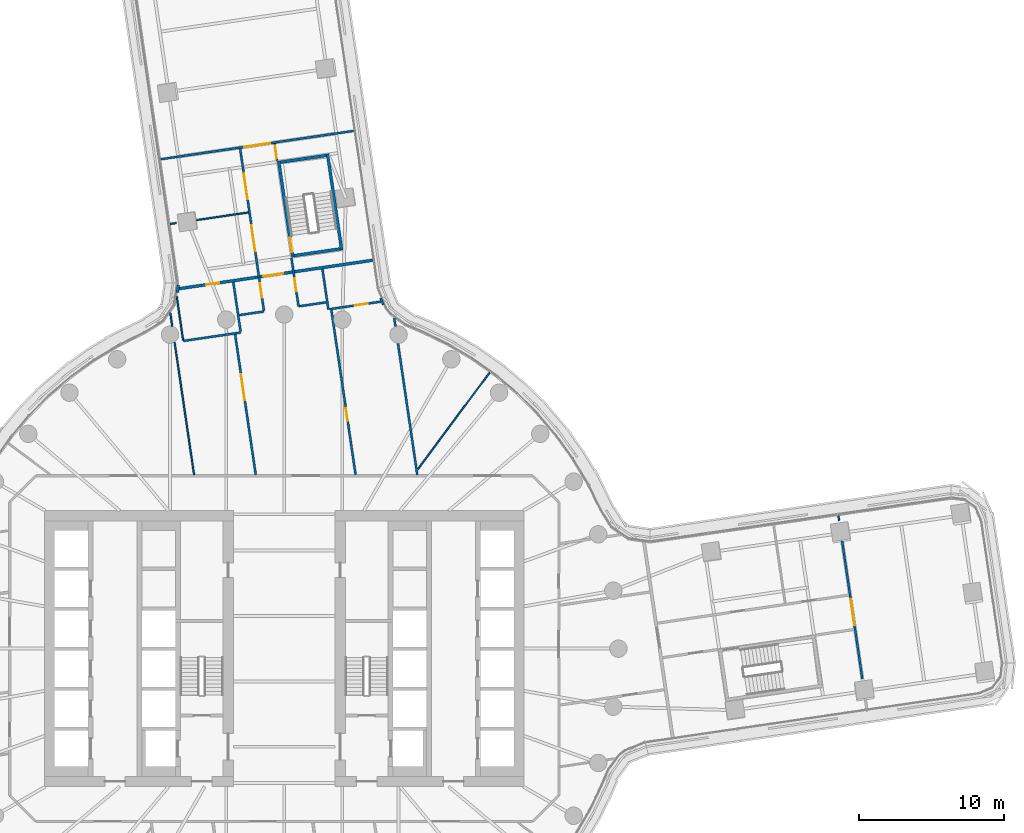
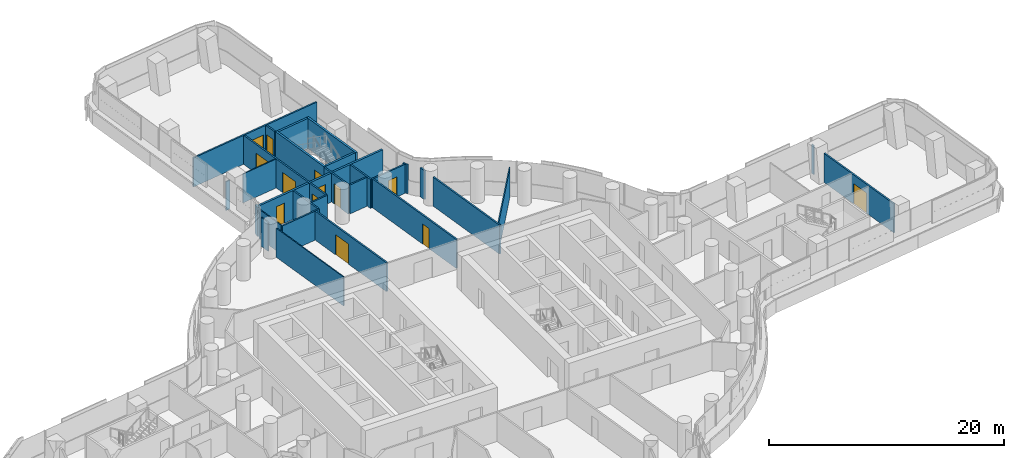
# One storey, part 23 of 31: 29 walls, 13 doors, 13 openings.
"""IFC4 building model written with IfcOpenShell, lengths in metres."""

from ifc_helpers import new_model, si_unit, direction, frame, frame_2d, origin, place, context, subcontext, project, spatial, polyline, rectangle, outline, extrude, material, layer, layer_set, type_object, element, fill, save


model = new_model("IFC4")

# Units and contexts
model_context = context("Model", 3, precision=1e-05, world=origin(), true_north=direction((0.0, 1.0)))
body_context = subcontext(model_context, "Body", "Model", "MODEL_VIEW")
ifc_project = project(units=[si_unit("LENGTHUNIT", "METRE"), si_unit("AREAUNIT", "SQUARE_METRE"), si_unit("VOLUMEUNIT", "CUBIC_METRE"), si_unit("PLANEANGLEUNIT", "RADIAN"), si_unit("MASSUNIT", "GRAM", prefix="KILO")], contexts=[model_context])

# Site, building, storey
site_placement = place(None, origin())
site = spatial("IfcSite", under=ifc_project, at=site_placement, CompositionType="ELEMENT")
building_placement = place(site_placement, origin())
building = spatial("IfcBuilding", under=site, at=building_placement, Name="Tamarind Cross Interchange Tower", CompositionType="ELEMENT")
storey_placement = place(building_placement, frame((0.0, 0.0, 64.0)))
storey = spatial("IfcBuildingStorey", under=building, at=storey_placement, Name="L14", CompositionType="ELEMENT", Elevation=64.0)

# Walls
ifc_material_1 = material(Name="Gypsum board partition on steel studs", Category="steel")
ifc_layer_1 = layer(ifc_material_1, 0.10009765625)
ifc_layer_set_1 = layer_set([ifc_layer_1], Name="Gypsum board partition on steel studs")
wall_type_1 = type_object("IfcWallType", Name="Partition 100 mm EI 90", PredefinedType="PARTITIONING", material=ifc_layer_set_1)
wall_1_placement = place(storey_placement, frame((-7.84765625, 23.128173828125, 0.0), z_axis=(0.0, 0.0, 1.0), x_axis=(0.145310506954, -0.989386100857, 0.0)))
element("IfcWall", 1, at=wall_1_placement, inside=storey, type_object=wall_type_1, Name="Partition L14-009", PredefinedType="PARTITIONING", context=body_context, shape_type="SweptSolid", body=[
    extrude(rectangle(XDim=0.957763671875, YDim=0.10009765625, at=frame_2d((0.47900390625, 0.0))), origin(), (0.0, 0.0, 1.0), 3.010009765625),
])
wall_2_placement = place(storey_placement, frame((-7.54931640625, 21.0966796875, 0.0), z_axis=(0.0, 0.0, 1.0), x_axis=(0.145367586138, -0.989377715991, 0.0)))
element("IfcWall", 2, at=wall_2_placement, inside=storey, type_object=wall_type_1, Name="Partition L14-010", PredefinedType="PARTITIONING", context=body_context, shape_type="SweptSolid", body=[
    extrude(rectangle(XDim=9.23046875, YDim=0.10009765625, at=frame_2d((4.615234375, 0.0))), origin(), (0.0, 0.0, 1.0), 3.010009765625),
])
wall_3_placement = place(storey_placement, frame((-7.403076171875, 24.23388671875, 0.0), z_axis=(0.0, 0.0, 1.0), x_axis=(0.145198559195, -0.989402536083, 0.0)))
element("IfcWall", 3, at=wall_3_placement, inside=storey, type_object=wall_type_1, Name="Partition L14-013", PredefinedType="PARTITIONING", context=body_context, shape_type="SweptSolid", body=[
    extrude(rectangle(XDim=3.021484375, YDim=0.10009765625, at=frame_2d((1.5107421875, 0.0))), origin(), (0.0, 0.0, 1.0), 3.010009765625),
])
wall_4_placement = place(storey_placement, frame((38.14111328125, 9.15185546875, 0.0), z_axis=(0.0, 0.0, 1.0), x_axis=(0.145703721626, -0.98932826984, 0.0)))
element("IfcWall", 4, at=wall_4_placement, inside=storey, type_object=wall_type_1, Name="Partition L14-031", PredefinedType="PARTITIONING", context=body_context, shape_type="SweptSolid", body=[
    extrude(rectangle(XDim=0.335205078125, YDim=0.10009765625, at=frame_2d((0.16748046875, 0.0))), origin(), (0.0, 0.0, 1.0), 3.010009765625),
])
wall_5_placement = place(storey_placement, frame((-7.854248046875, 29.235107421875, 0.0), z_axis=(0.0, 0.0, 1.0), x_axis=(0.989371203144, 0.145411905938, 0.0)))
element("IfcWall", 5, at=wall_5_placement, inside=storey, type_object=wall_type_1, Name="Partition L14-055", PredefinedType="PARTITIONING", context=body_context, shape_type="SweptSolid", body=[
    extrude(rectangle(XDim=0.42822265625, YDim=0.10009765625, at=frame_2d((0.214111328125, 0.0))), origin(), (0.0, 0.0, 1.0), 3.010009765625),
])
wall_6_placement = place(storey_placement, frame((-6.02587890625, 29.503662109375, 0.0), z_axis=(0.0, 0.0, 1.0), x_axis=(0.989387248681, 0.145302691469, 0.0)))
element("IfcWall", 6, at=wall_6_placement, inside=storey, type_object=wall_type_1, Name="Partition L14-056", PredefinedType="PARTITIONING", context=body_context, shape_type="SweptSolid", body=[
    extrude(rectangle(XDim=3.600830078125, YDim=0.10009765625, at=frame_2d((1.80029296875, 0.0))), origin(), (0.0, 0.0, 1.0), 3.010009765625),
])
wall_7_placement = place(storey_placement, frame((9.194580078125, 12.361328125, 0.0), z_axis=(0.0, 0.0, 1.0), x_axis=(0.596808955644, 0.80238336876, 0.0)))
element("IfcWall", 7, at=wall_7_placement, inside=storey, type_object=wall_type_1, Name="Partition L14-074", PredefinedType="PARTITIONING", context=body_context, shape_type="SweptSolid", body=[
    extrude(rectangle(XDim=8.275146484375, YDim=0.10009765625, at=frame_2d((4.1376953125, 0.0))), origin(), (0.0, 0.0, 1.0), 3.010009765625),
])
ifc_layer_2 = layer(ifc_material_1, 0.14990234375)
ifc_layer_set_2 = layer_set([ifc_layer_2], Name="Gypsum board partition on steel studs")
wall_type_2 = type_object("IfcWallType", Name="Partition 150 mm EI 120", PredefinedType="PARTITIONING", material=ifc_layer_set_2)
wall_8_placement = place(storey_placement, frame((-3.50634765625, 25.22509765625, 0.0), z_axis=(0.0, 0.0, 1.0), x_axis=(0.145545214318, -0.989351601095, 0.0)))
element("IfcWall", 8, at=wall_8_placement, inside=storey, type_object=wall_type_2, Name="Partition L14-015", PredefinedType="PARTITIONING", context=body_context, shape_type="SweptSolid", body=[
    extrude(rectangle(XDim=3.430419921875, YDim=0.14990234375, at=frame_2d((1.71533203125, 0.0))), origin(), (0.0, 0.0, 1.0), 3.010009765625),
])

# Wall, opening, door
wall_9_placement = place(storey_placement, frame((-3.382080078125, 21.6298828125, 0.0), z_axis=(0.0, 0.0, 1.0), x_axis=(0.145319790088, -0.989384737404, 0.0)))
wall_9 = element("IfcWall", 9, at=wall_9_placement, inside=storey, type_object=wall_type_2, Name="Partition L14-018", PredefinedType="PARTITIONING", context=body_context, shape_type="SweptSolid", body=[
    extrude(rectangle(XDim=9.764404296875, YDim=0.14990234375, at=frame_2d((4.88232421875, 0.0))), origin(), (0.0, 0.0, 1.0), 3.010009765625),
])
opening_1_placement = place(wall_9_placement, frame((2.77490234375, 0.0, 0.0)))
opening_1 = element("IfcOpeningElement", 10, at=opening_1_placement, cuts=wall_9, Name="Opening D06", PredefinedType="OPENING", context=body_context, shape_type="SweptSolid", body=[
    extrude(rectangle(XDim=1.800048828125, YDim=2.10009765625, at=frame_2d((0.89990234375, 1.050048828125))), frame((0.0, 0.0849609375, 0.0), z_axis=(0.0, -1.0, 0.0), x_axis=(1.0, 0.0, 0.0)), (0.0, 0.0, 1.0), 0.169921875),
])
ifc_material_2 = material(Name="Fire-resisting door set")
door_type_1 = type_object("IfcDoorType", Name="Interior door 1800 x 2100 FD60S", OperationType="DOUBLE_DOOR_SINGLE_SWING", PredefinedType="DOOR", material=ifc_material_2)
door_1_placement = place(opening_1_placement, frame((1.800048828125, 0.0, 0.0), z_axis=(0.0, 0.0, 1.0), x_axis=(-1.0, 0.0, 0.0)))
door_1 = element("IfcDoor", 11, at=door_1_placement, inside=storey, type_object=door_type_1, Name="Door D06", OperationType="DOUBLE_DOOR_SINGLE_SWING", OverallHeight=2.10009765625, OverallWidth=1.800048828125, PredefinedType="DOOR", context=body_context, shape_type="SweptSolid", body=[
    extrude(rectangle(XDim=1.800048828125, YDim=2.10009765625, at=frame_2d((0.89990234375, 1.050048828125))), frame((0.0, 0.02490234375, 0.0), z_axis=(0.0, -1.0, 0.0), x_axis=(1.0, 0.0, 0.0)), (0.0, 0.0, 1.0), 0.050048828125),
])
fill(opening_1, door_1)

# Wall, openings, doors
wall_10_placement = place(storey_placement, frame((-3.037109375, 34.415771484375, 0.0), z_axis=(0.0, 0.0, 1.0), x_axis=(0.145313510652, -0.989385659701, 0.0)))
wall_10 = element("IfcWall", 12, at=wall_10_placement, inside=storey, type_object=wall_type_2, Name="Partition L14-019", PredefinedType="PARTITIONING", context=body_context, shape_type="SweptSolid", body=[
    extrude(rectangle(XDim=11.2548828125, YDim=0.14990234375, at=frame_2d((5.62744140625, 0.0))), origin(), (0.0, 0.0, 1.0), 3.010009765625),
])
opening_2_placement = place(wall_10_placement, frame((9.37548828125, 0.0, 0.0)))
opening_2 = element("IfcOpeningElement", 13, at=opening_2_placement, cuts=wall_10, Name="Opening D07", PredefinedType="OPENING", context=body_context, shape_type="SweptSolid", body=[
    extrude(rectangle(XDim=1.0, YDim=2.10009765625, at=frame_2d((0.5, 1.050048828125))), frame((0.0, 0.0849609375, 0.0), z_axis=(0.0, -1.0, 0.0), x_axis=(1.0, 0.0, 0.0)), (0.0, 0.0, 1.0), 0.169921875),
])
opening_3_placement = place(wall_10_placement, frame((1.72509765625, 0.0, 0.0)))
opening_3 = element("IfcOpeningElement", 14, at=opening_3_placement, cuts=wall_10, Name="Opening D08", PredefinedType="OPENING", context=body_context, shape_type="SweptSolid", body=[
    extrude(rectangle(XDim=1.800048828125, YDim=2.10009765625, at=frame_2d((0.89990234375, 1.050048828125))), frame((0.0, 0.0849609375, 0.0), z_axis=(0.0, -1.0, 0.0), x_axis=(1.0, 0.0, 0.0)), (0.0, 0.0, 1.0), 0.169921875),
])
opening_4_placement = place(wall_10_placement, frame((5.32568359375, 0.0, 0.0)))
opening_4 = element("IfcOpeningElement", 15, at=opening_4_placement, cuts=wall_10, Name="Opening D09", PredefinedType="OPENING", context=body_context, shape_type="SweptSolid", body=[
    extrude(rectangle(XDim=1.800048828125, YDim=2.10009765625, at=frame_2d((0.89990234375, 1.050048828125))), frame((0.0, 0.0849609375, 0.0), z_axis=(0.0, -1.0, 0.0), x_axis=(1.0, 0.0, 0.0)), (0.0, 0.0, 1.0), 0.169921875),
])
door_type_2 = type_object("IfcDoorType", Name="Interior door 1000 x 2100 FD60S", OperationType="SINGLE_SWING_LEFT", PredefinedType="DOOR", material=ifc_material_2)
door_2_placement = place(opening_2_placement, frame((1.0, 0.0, 0.0), z_axis=(0.0, 0.0, 1.0), x_axis=(-1.0, 0.0, 0.0)))
door_2 = element("IfcDoor", 16, at=door_2_placement, inside=storey, type_object=door_type_2, Name="Door D07", OperationType="SINGLE_SWING_RIGHT", OverallHeight=2.10009765625, OverallWidth=1.0, PredefinedType="DOOR", context=body_context, shape_type="SweptSolid", body=[
    extrude(rectangle(XDim=1.0, YDim=2.10009765625, at=frame_2d((0.5, 1.050048828125))), frame((0.0, 0.02490234375, 0.0), z_axis=(0.0, -1.0, 0.0), x_axis=(1.0, 0.0, 0.0)), (0.0, 0.0, 1.0), 0.050048828125),
])
fill(opening_2, door_2)
door_3_placement = place(opening_3_placement, frame((1.800048828125, 0.0, 0.0), z_axis=(0.0, 0.0, 1.0), x_axis=(-1.0, 0.0, 0.0)))
door_3 = element("IfcDoor", 17, at=door_3_placement, inside=storey, type_object=door_type_1, Name="Door D08", OperationType="DOUBLE_DOOR_SINGLE_SWING", OverallHeight=2.10009765625, OverallWidth=1.800048828125, PredefinedType="DOOR", context=body_context, shape_type="SweptSolid", body=[
    extrude(rectangle(XDim=1.800048828125, YDim=2.10009765625, at=frame_2d((0.89990234375, 1.050048828125))), frame((0.0, 0.02490234375, 0.0), z_axis=(0.0, -1.0, 0.0), x_axis=(1.0, 0.0, 0.0)), (0.0, 0.0, 1.0), 0.050048828125),
])
fill(opening_3, door_3)
door_4_placement = place(opening_4_placement, frame((1.800048828125, 0.0, 0.0), z_axis=(0.0, 0.0, 1.0), x_axis=(-1.0, 0.0, 0.0)))
door_4 = element("IfcDoor", 18, at=door_4_placement, inside=storey, type_object=door_type_1, Name="Door D09", OperationType="DOUBLE_DOOR_SINGLE_SWING", OverallHeight=2.10009765625, OverallWidth=1.800048828125, PredefinedType="DOOR", context=body_context, shape_type="SweptSolid", body=[
    extrude(rectangle(XDim=1.800048828125, YDim=2.10009765625, at=frame_2d((0.89990234375, 1.050048828125))), frame((0.0, 0.02490234375, 0.0), z_axis=(0.0, -1.0, 0.0), x_axis=(1.0, 0.0, 0.0)), (0.0, 0.0, 1.0), 0.050048828125),
])
fill(opening_4, door_4)

# Wall, opening, door
wall_11_placement = place(storey_placement, frame((-0.662109375, 34.763916015625, 0.0), z_axis=(0.0, 0.0, 1.0), x_axis=(0.145399124808, -0.989373081555, 0.0)))
wall_11 = element("IfcWall", 19, at=wall_11_placement, inside=storey, type_object=wall_type_2, Name="Partition L14-020", PredefinedType="PARTITIONING", context=body_context, shape_type="SweptSolid", body=[
    extrude(rectangle(XDim=1.185546875, YDim=0.14990234375, at=frame_2d((0.5927734375, 0.0))), origin(), (0.0, 0.0, 1.0), 3.010009765625),
])
opening_5_placement = place(wall_11_placement, frame((0.13525390625, 0.0, 0.0)))
opening_5 = element("IfcOpeningElement", 20, at=opening_5_placement, cuts=wall_11, Name="Opening D10", PredefinedType="OPENING", context=body_context, shape_type="SweptSolid", body=[
    extrude(rectangle(XDim=0.89990234375, YDim=2.10009765625, at=frame_2d((0.449951171875, 1.050048828125))), frame((0.0, 0.0849609375, 0.0), z_axis=(0.0, -1.0, 0.0), x_axis=(1.0, 0.0, 0.0)), (0.0, 0.0, 1.0), 0.169921875),
])
door_type_3 = type_object("IfcDoorType", Name="Interior door 900 x 2100 FD60S", OperationType="SINGLE_SWING_LEFT", PredefinedType="DOOR", material=ifc_material_2)
door_5_placement = place(opening_5_placement, origin())
door_5 = element("IfcDoor", 21, at=door_5_placement, inside=storey, type_object=door_type_3, Name="Door D10", OperationType="SINGLE_SWING_RIGHT", OverallHeight=2.10009765625, OverallWidth=0.89990234375, PredefinedType="DOOR", context=body_context, shape_type="SweptSolid", body=[
    extrude(rectangle(XDim=0.89990234375, YDim=2.10009765625, at=frame_2d((0.449951171875, 1.050048828125))), frame((0.0, 0.02490234375, 0.0), z_axis=(0.0, -1.0, 0.0), x_axis=(1.0, 0.0, 0.0)), (0.0, 0.0, 1.0), 0.050048828125),
])
fill(opening_5, door_5)

wall_12_placement = place(storey_placement, frame((0.49560546875, 26.8837890625, 0.0), z_axis=(0.0, 0.0, 1.0), x_axis=(0.145276394128, -0.989391110385, 0.0)))
wall_12 = element("IfcWall", 22, at=wall_12_placement, inside=storey, type_object=wall_type_2, Name="Partition L14-021", PredefinedType="PARTITIONING", context=body_context, shape_type="SweptSolid", body=[
    extrude(rectangle(XDim=3.359375, YDim=0.14990234375, at=frame_2d((1.6796875, 0.0))), origin(), (0.0, 0.0, 1.0), 3.010009765625),
])
opening_6_placement = place(wall_12_placement, frame((1.409912109375, 0.0, 0.0)))
opening_6 = element("IfcOpeningElement", 23, at=opening_6_placement, cuts=wall_12, Name="Opening D11", PredefinedType="OPENING", context=body_context, shape_type="SweptSolid", body=[
    extrude(rectangle(XDim=0.89990234375, YDim=2.10009765625, at=frame_2d((0.449951171875, 1.050048828125))), frame((0.0, 0.0849609375, 0.0), z_axis=(0.0, -1.0, 0.0), x_axis=(1.0, 0.0, 0.0)), (0.0, 0.0, 1.0), 0.169921875),
])
door_6_placement = place(opening_6_placement, origin())
door_6 = element("IfcDoor", 24, at=door_6_placement, inside=storey, type_object=door_type_3, Name="Door D11", OperationType="SINGLE_SWING_LEFT", OverallHeight=2.10009765625, OverallWidth=0.89990234375, PredefinedType="DOOR", context=body_context, shape_type="SweptSolid", body=[
    extrude(rectangle(XDim=0.89990234375, YDim=2.10009765625, at=frame_2d((0.449951171875, 1.050048828125))), frame((0.0, 0.02490234375, 0.0), z_axis=(0.0, -1.0, 0.0), x_axis=(1.0, 0.0, 0.0)), (0.0, 0.0, 1.0), 0.050048828125),
])
fill(opening_6, door_6)

# Wall
wall_13_placement = place(storey_placement, frame((2.62841796875, 26.126220703125, 0.0), z_axis=(0.0, 0.0, 1.0), x_axis=(0.145009476749, -0.98943026619, 0.0)))
element("IfcWall", 25, at=wall_13_placement, inside=storey, type_object=wall_type_2, Name="Partition L14-025", PredefinedType="PARTITIONING", context=body_context, shape_type="SweptSolid", body=[
    extrude(rectangle(XDim=2.7998046875, YDim=0.14990234375, at=frame_2d((1.39990234375, 0.0))), origin(), (0.0, 0.0, 1.0), 3.010009765625),
])

# Wall, opening, door
wall_14_placement = place(storey_placement, frame((3.243896484375, 23.310791015625, 0.0), z_axis=(0.0, 0.0, 1.0), x_axis=(0.145335184951, -0.989382476101, 0.0)))
wall_14 = element("IfcWall", 26, at=wall_14_placement, inside=storey, type_object=wall_type_2, Name="Partition L14-026", PredefinedType="PARTITIONING", context=body_context, shape_type="SweptSolid", body=[
    extrude(rectangle(XDim=11.46337890625, YDim=0.14990234375, at=frame_2d((5.731689453125, 0.0))), origin(), (0.0, 0.0, 1.0), 3.010009765625),
])
opening_7_placement = place(wall_14_placement, frame((6.824951171875, 0.0, 0.0)))
opening_7 = element("IfcOpeningElement", 27, at=opening_7_placement, cuts=wall_14, Name="Opening D14", PredefinedType="OPENING", context=body_context, shape_type="SweptSolid", body=[
    extrude(rectangle(XDim=0.89990234375, YDim=2.10009765625, at=frame_2d((0.449951171875, 1.050048828125))), frame((0.0, 0.0849609375, 0.0), z_axis=(0.0, -1.0, 0.0), x_axis=(1.0, 0.0, 0.0)), (0.0, 0.0, 1.0), 0.169921875),
])
door_7_placement = place(opening_7_placement, origin())
door_7 = element("IfcDoor", 28, at=door_7_placement, inside=storey, type_object=door_type_3, Name="Door D14", OperationType="SINGLE_SWING_LEFT", OverallHeight=2.10009765625, OverallWidth=0.89990234375, PredefinedType="DOOR", context=body_context, shape_type="SweptSolid", body=[
    extrude(rectangle(XDim=0.89990234375, YDim=2.10009765625, at=frame_2d((0.449951171875, 1.050048828125))), frame((0.0, 0.02490234375, 0.0), z_axis=(0.0, -1.0, 0.0), x_axis=(1.0, 0.0, 0.0)), (0.0, 0.0, 1.0), 0.050048828125),
])
fill(opening_7, door_7)

# Walls
wall_15_placement = place(storey_placement, frame((7.571044921875, 22.7509765625, 0.0), z_axis=(0.0, 0.0, 1.0), x_axis=(0.145529697883, -0.98935388362, 0.0)))
element("IfcWall", 29, at=wall_15_placement, inside=storey, type_object=wall_type_2, Name="Partition L14-027", PredefinedType="PARTITIONING", context=body_context, shape_type="SweptSolid", body=[
    extrude(rectangle(XDim=0.590576171875, YDim=0.14990234375, at=frame_2d((0.29541015625, 0.0))), origin(), (0.0, 0.0, 1.0), 3.010009765625),
])
wall_16_placement = place(storey_placement, frame((7.826416015625, 21.013671875, 0.0), z_axis=(0.0, 0.0, 1.0), x_axis=(0.145417104169, -0.989370439125, 0.0)))
element("IfcWall", 30, at=wall_16_placement, inside=storey, type_object=wall_type_2, Name="Partition L14-028", PredefinedType="PARTITIONING", context=body_context, shape_type="SweptSolid", body=[
    extrude(rectangle(XDim=9.1416015625, YDim=0.14990234375, at=frame_2d((4.57080078125, 0.0))), origin(), (0.0, 0.0, 1.0), 3.010009765625),
])

# Wall, opening, door
wall_17_placement = place(storey_placement, frame((38.396240234375, 7.41552734375, 0.0), z_axis=(0.0, 0.0, 1.0), x_axis=(0.145400919427, -0.989372817814, 0.0)))
wall_17 = element("IfcWall", 31, at=wall_17_placement, inside=storey, type_object=wall_type_2, Name="Partition L14-032", PredefinedType="PARTITIONING", context=body_context, shape_type="SweptSolid", body=[
    extrude(rectangle(XDim=9.5908203125, YDim=0.14990234375, at=frame_2d((4.79541015625, 0.0))), origin(), (0.0, 0.0, 1.0), 3.010009765625),
])
opening_8_placement = place(wall_17_placement, frame((4.053466796875, 0.0, 0.0)))
opening_8 = element("IfcOpeningElement", 32, at=opening_8_placement, cuts=wall_17, Name="Opening D16", PredefinedType="OPENING", context=body_context, shape_type="SweptSolid", body=[
    extrude(rectangle(XDim=1.800048828125, YDim=2.10009765625, at=frame_2d((0.89990234375, 1.050048828125))), frame((0.0, 0.0849609375, 0.0), z_axis=(0.0, -1.0, 0.0), x_axis=(1.0, 0.0, 0.0)), (0.0, 0.0, 1.0), 0.169921875),
])
door_8_placement = place(opening_8_placement, frame((1.800048828125, 0.0, 0.0), z_axis=(0.0, 0.0, 1.0), x_axis=(-1.0, 0.0, 0.0)))
door_8 = element("IfcDoor", 33, at=door_8_placement, inside=storey, type_object=door_type_1, Name="Door D16", OperationType="DOUBLE_DOOR_SINGLE_SWING", OverallHeight=2.10009765625, OverallWidth=1.800048828125, PredefinedType="DOOR", context=body_context, shape_type="SweptSolid", body=[
    extrude(rectangle(XDim=1.800048828125, YDim=2.10009765625, at=frame_2d((0.89990234375, 1.050048828125))), frame((0.0, 0.02490234375, 0.0), z_axis=(0.0, -1.0, 0.0), x_axis=(1.0, 0.0, 0.0)), (0.0, 0.0, 1.0), 0.050048828125),
])
fill(opening_8, door_8)

wall_18_placement = place(storey_placement, frame((-8.503173828125, 33.68798828125, 0.0), z_axis=(0.0, 0.0, 1.0), x_axis=(0.989365376434, 0.145451544901, 0.0)))
wall_18 = element("IfcWall", 34, at=wall_18_placement, inside=storey, type_object=wall_type_2, Name="Partition L14-054", PredefinedType="PARTITIONING", context=body_context, shape_type="SweptSolid", body=[
    extrude(rectangle(XDim=13.412841796875, YDim=0.14990234375, at=frame_2d((6.70654296875, 0.0))), origin(), (0.0, 0.0, 1.0), 3.010009765625),
])
opening_9_placement = place(wall_18_placement, frame((5.813720703125, 0.0, 0.0)))
opening_9 = element("IfcOpeningElement", 35, at=opening_9_placement, cuts=wall_18, Name="Opening D28", PredefinedType="OPENING", context=body_context, shape_type="SweptSolid", body=[
    extrude(rectangle(XDim=1.800048828125, YDim=2.10009765625, at=frame_2d((0.89990234375, 1.050048828125))), frame((0.0, 0.0849609375, 0.0), z_axis=(0.0, -1.0, 0.0), x_axis=(1.0, 0.0, 0.0)), (0.0, 0.0, 1.0), 0.169921875),
])
door_9_placement = place(opening_9_placement, origin())
door_9 = element("IfcDoor", 36, at=door_9_placement, inside=storey, type_object=door_type_1, Name="Door D28", OperationType="DOUBLE_DOOR_SINGLE_SWING", OverallHeight=2.10009765625, OverallWidth=1.800048828125, PredefinedType="DOOR", context=body_context, shape_type="SweptSolid", body=[
    extrude(rectangle(XDim=1.800048828125, YDim=2.10009765625, at=frame_2d((0.89990234375, 1.050048828125))), frame((0.0, 0.02490234375, 0.0), z_axis=(0.0, -1.0, 0.0), x_axis=(1.0, 0.0, 0.0)), (0.0, 0.0, 1.0), 0.050048828125),
])
fill(opening_9, door_9)

# Walls
wall_19_placement = place(storey_placement, frame((-6.955078125, 21.179931640625, 0.0), z_axis=(0.0, 0.0, 1.0), x_axis=(0.989351383004, 0.145546696796, 0.0)))
element("IfcWall", 37, at=wall_19_placement, inside=storey, type_object=wall_type_2, Name="Partition L14-058", PredefinedType="PARTITIONING", context=body_context, shape_type="SweptSolid", body=[
    extrude(rectangle(XDim=4.00048828125, YDim=0.14990234375, at=frame_2d((2.000244140625, 0.0))), origin(), (0.0, 0.0, 1.0), 3.010009765625),
])
wall_20_placement = place(storey_placement, frame((-3.093017578125, 22.960693359375, 0.0), z_axis=(0.0, 0.0, 1.0), x_axis=(0.989362139502, 0.145473560894, 0.0)))
element("IfcWall", 38, at=wall_20_placement, inside=storey, type_object=wall_type_2, Name="Partition L14-061", PredefinedType="PARTITIONING", context=body_context, shape_type="SweptSolid", body=[
    extrude(rectangle(XDim=1.72021484375, YDim=0.14990234375, at=frame_2d((0.860107421875, 0.0))), origin(), (0.0, 0.0, 1.0), 3.010009765625),
])
wall_21_placement = place(storey_placement, frame((1.05322265625, 23.570556640625, 0.0), z_axis=(0.0, 0.0, 1.0), x_axis=(0.989359135365, 0.145493990495, 0.0)))
element("IfcWall", 39, at=wall_21_placement, inside=storey, type_object=wall_type_2, Name="Partition L14-062", PredefinedType="PARTITIONING", context=body_context, shape_type="SweptSolid", body=[
    extrude(rectangle(XDim=1.854248046875, YDim=0.14990234375, at=frame_2d((0.92724609375, 0.0))), origin(), (0.0, 0.0, 1.0), 3.010009765625),
])

# Wall, opening, door
wall_22_placement = place(storey_placement, frame((3.104248046875, 23.3662109375, 0.0), z_axis=(0.0, 0.0, 1.0), x_axis=(0.989446755987, 0.144896918761, 0.0)))
wall_22 = element("IfcWall", 40, at=wall_22_placement, inside=storey, type_object=wall_type_2, Name="Partition L14-063", PredefinedType="PARTITIONING", context=body_context, shape_type="SweptSolid", body=[
    extrude(rectangle(XDim=3.578857421875, YDim=0.14990234375, at=frame_2d((1.78955078125, 0.0))), origin(), (0.0, 0.0, 1.0), 3.010009765625),
])
opening_10_placement = place(wall_22_placement, frame((1.780029296875, 0.0, 0.0)))
opening_10 = element("IfcOpeningElement", 41, at=opening_10_placement, cuts=wall_22, Name="Opening D33", PredefinedType="OPENING", context=body_context, shape_type="SweptSolid", body=[
    extrude(rectangle(XDim=0.89990234375, YDim=2.10009765625, at=frame_2d((0.449951171875, 1.050048828125))), frame((0.0, 0.0849609375, 0.0), z_axis=(0.0, -1.0, 0.0), x_axis=(1.0, 0.0, 0.0)), (0.0, 0.0, 1.0), 0.169921875),
])
door_10_placement = place(opening_10_placement, origin())
door_10 = element("IfcDoor", 42, at=door_10_placement, inside=storey, type_object=door_type_3, Name="Door D33", OperationType="SINGLE_SWING_LEFT", OverallHeight=2.10009765625, OverallWidth=0.89990234375, PredefinedType="DOOR", context=body_context, shape_type="SweptSolid", body=[
    extrude(rectangle(XDim=0.89990234375, YDim=2.10009765625, at=frame_2d((0.449951171875, 1.050048828125))), frame((0.0, 0.02490234375, 0.0), z_axis=(0.0, -1.0, 0.0), x_axis=(1.0, 0.0, 0.0)), (0.0, 0.0, 1.0), 0.050048828125),
])
fill(opening_10, door_10)

# Wall
wall_23_placement = place(storey_placement, frame((6.8232421875, 23.665283203125, 0.0), z_axis=(0.0, 0.0, 1.0), x_axis=(-0.375342532564, 0.926886175994, 0.0)))
element("IfcWall", 43, at=wall_23_placement, inside=storey, type_object=wall_type_2, Name="Partition L14-078", PredefinedType="PARTITIONING", context=body_context, shape_type="SweptSolid", body=[
    extrude(rectangle(XDim=0.500244140625, YDim=0.14990234375, at=frame_2d((0.25, 0.0))), origin(), (0.0, 0.0, 1.0), 3.010009765625),
])

# Wall, openings, doors
ifc_layer_3 = layer(ifc_material_1, 0.199951171875)
ifc_layer_set_3 = layer_set([ifc_layer_3], Name="Gypsum board partition on steel studs")
wall_type_3 = type_object("IfcWallType", Name="Partition 200 mm EI 180", PredefinedType="PARTITIONING", material=ifc_layer_set_3)
wall_24_placement = place(storey_placement, frame((-7.210205078125, 24.781982421875, 0.0), z_axis=(0.0, 0.0, 1.0), x_axis=(0.989376139969, 0.145378312204, 0.0)))
wall_24 = element("IfcWall", 44, at=wall_24_placement, inside=storey, type_object=wall_type_3, Name="Partition L14-057", PredefinedType="PARTITIONING", context=body_context, shape_type="SweptSolid", body=[
    extrude(rectangle(XDim=13.427978515625, YDim=0.199951171875, at=frame_2d((6.7138671875, 0.0))), origin(), (0.0, 0.0, 1.0), 3.010009765625),
])
opening_11_placement = place(wall_24_placement, frame((5.82861328125, 0.0, 0.0)))
opening_11 = element("IfcOpeningElement", 45, at=opening_11_placement, cuts=wall_24, Name="Opening D29", PredefinedType="OPENING", context=body_context, shape_type="SweptSolid", body=[
    extrude(rectangle(XDim=1.39990234375, YDim=2.10009765625, at=frame_2d((0.699951171875, 1.050048828125))), frame((0.0, 0.10986328125, 0.0), z_axis=(0.0, -1.0, 0.0), x_axis=(1.0, 0.0, 0.0)), (0.0, 0.0, 1.0), 0.219970703125),
])
opening_12_placement = place(wall_24_placement, frame((1.865234375, 0.0, 0.0)))
opening_12 = element("IfcOpeningElement", 46, at=opening_12_placement, cuts=wall_24, Name="Opening D30", PredefinedType="OPENING", context=body_context, shape_type="SweptSolid", body=[
    extrude(rectangle(XDim=0.89990234375, YDim=2.10009765625, at=frame_2d((0.449951171875, 1.050048828125))), frame((0.0, 0.10986328125, 0.0), z_axis=(0.0, -1.0, 0.0), x_axis=(1.0, 0.0, 0.0)), (0.0, 0.0, 1.0), 0.219970703125),
])
door_type_4 = type_object("IfcDoorType", Name="Interior door 1400 x 2100 FD120S", OperationType="DOUBLE_DOOR_SINGLE_SWING", PredefinedType="DOOR", material=ifc_material_2)
door_11_placement = place(opening_11_placement, frame((1.39990234375, 0.0, 0.0), z_axis=(0.0, 0.0, 1.0), x_axis=(-1.0, 0.0, 0.0)))
door_11 = element("IfcDoor", 47, at=door_11_placement, inside=storey, type_object=door_type_4, Name="Door D29", OperationType="DOUBLE_DOOR_SINGLE_SWING", OverallHeight=2.10009765625, OverallWidth=1.39990234375, PredefinedType="DOOR", context=body_context, shape_type="SweptSolid", body=[
    extrude(rectangle(XDim=1.39990234375, YDim=2.10009765625, at=frame_2d((0.699951171875, 1.050048828125))), frame((0.0, 0.02490234375, 0.0), z_axis=(0.0, -1.0, 0.0), x_axis=(1.0, 0.0, 0.0)), (0.0, 0.0, 1.0), 0.050048828125),
])
fill(opening_11, door_11)
door_type_5 = type_object("IfcDoorType", Name="Interior door 900 x 2100 FD120S", OperationType="SINGLE_SWING_LEFT", PredefinedType="DOOR", material=ifc_material_2)
door_12_placement = place(opening_12_placement, frame((0.89990234375, 0.0, 0.0), z_axis=(0.0, 0.0, 1.0), x_axis=(-1.0, 0.0, 0.0)))
door_12 = element("IfcDoor", 48, at=door_12_placement, inside=storey, type_object=door_type_5, Name="Door D30", OperationType="SINGLE_SWING_LEFT", OverallHeight=2.10009765625, OverallWidth=0.89990234375, PredefinedType="DOOR", context=body_context, shape_type="SweptSolid", body=[
    extrude(rectangle(XDim=0.89990234375, YDim=2.10009765625, at=frame_2d((0.449951171875, 1.050048828125))), frame((0.0, 0.02490234375, 0.0), z_axis=(0.0, -1.0, 0.0), x_axis=(1.0, 0.0, 0.0)), (0.0, 0.0, 1.0), 0.050048828125),
])
fill(opening_12, door_12)

# Wall
wall_25_placement = place(storey_placement, frame((-7.287353515625, 25.012451171875, 0.0), z_axis=(0.0, 0.0, 1.0), x_axis=(-0.146000044639, -0.989284583406, 0.0)))
element("IfcWall", 49, at=wall_25_placement, inside=storey, type_object=wall_type_3, Name="Partition L14-077", PredefinedType="PARTITIONING", context=body_context, shape_type="SweptSolid", body=[
    extrude(rectangle(XDim=0.5, YDim=0.199951171875, at=frame_2d((0.25, 0.0))), origin(), (0.0, 0.0, 1.0), 3.010009765625),
])

# Wall, opening, door
ifc_material_3 = material(Name="Concrete C40", Category="concrete")
ifc_layer_4 = layer(ifc_material_3, 0.199951171875)
ifc_layer_set_4 = layer_set([ifc_layer_4], Name="Concrete C40")
wall_type_4 = type_object("IfcWallType", Name="Stair shaft wall 200 mm Concrete C40", PredefinedType="SHEAR", material=ifc_layer_set_4)
wall_26_placement = place(storey_placement, frame((0.58837890625, 26.93798828125, -0.139892578125), z_axis=(0.0, 0.0, 1.0), x_axis=(-0.145353418254, 0.989379797551, 0.0)))
wall_26 = element("IfcWall", 50, at=wall_26_placement, inside=storey, type_object=wall_type_4, Name="Core wall CWL-L14-ST4-H", PredefinedType="SHEAR", context=body_context, shape_type="SweptSolid", body=[
    extrude(rectangle(XDim=6.699951171875, YDim=0.199951171875, at=frame_2d((3.35009765625, 0.0))), origin(), (0.0, 0.0, 1.0), 3.14990234375),
])
opening_13_placement = place(wall_26_placement, frame((0.35009765625, 0.0, 0.0)))
opening_13 = element("IfcOpeningElement", 51, at=opening_13_placement, cuts=wall_26, Name="Opening ST4L14", PredefinedType="OPENING", context=body_context, shape_type="SweptSolid", body=[
    extrude(rectangle(XDim=1.0, YDim=2.10009765625, at=frame_2d((0.5, 1.050048828125))), frame((0.0, 0.10986328125, 0.0), z_axis=(0.0, -1.0, 0.0), x_axis=(1.0, 0.0, 0.0)), (0.0, 0.0, 1.0), 0.219970703125),
])
ifc_material_4 = material(Name="Steel, fire-resisting", Category="steel")
door_type_6 = type_object("IfcDoorType", Name="Core fire door 1000 x 2100 FD90", OperationType="SINGLE_SWING_LEFT", PredefinedType="DOOR", material=ifc_material_4)
door_13_placement = place(opening_13_placement, origin())
door_13 = element("IfcDoor", 52, at=door_13_placement, inside=storey, type_object=door_type_6, Name="L14 stair door ST4", OperationType="SINGLE_SWING_LEFT", OverallHeight=2.10009765625, OverallWidth=1.0, PredefinedType="DOOR", context=body_context, shape_type="SweptSolid", body=[
    extrude(rectangle(XDim=1.0, YDim=2.10009765625, at=frame_2d((0.5, 1.050048828125))), frame((0.0, 0.02490234375, 0.0), z_axis=(0.0, -1.0, 0.0), x_axis=(1.0, 0.0, 0.0)), (0.0, 0.0, 1.0), 0.050048828125),
])
fill(opening_13, door_13)

# Walls
wall_27_placement = place(storey_placement, frame((3.952392578125, 27.43212890625, -0.139892578125), z_axis=(0.0, 0.0, 1.0), x_axis=(-0.145353418254, 0.989379797551, 0.0)))
element("IfcWall", 53, at=wall_27_placement, inside=storey, type_object=wall_type_4, Name="Core wall CWL-L14-ST4-C", PredefinedType="SHEAR", context=body_context, shape_type="SweptSolid", body=[
    extrude(rectangle(XDim=6.699951171875, YDim=0.199951171875, at=frame_2d((3.35009765625, 0.0))), origin(), (0.0, 0.0, 1.0), 3.14990234375),
])
wall_28_placement = place(storey_placement, frame((3.8388671875, 27.5166015625, -0.139892578125), z_axis=(0.0, 0.0, 1.0), x_axis=(-0.989381733859, -0.145340237739, 0.0)))
element("IfcWall", 54, at=wall_28_placement, inside=storey, type_object=wall_type_4, Name="Core wall CWL-L14-ST4-CE", PredefinedType="SHEAR", context=body_context, shape_type="SweptSolid", body=[
    extrude(rectangle(XDim=3.199951171875, YDim=0.199951171875, at=frame_2d((1.60009765625, 0.0))), origin(), (0.0, 0.0, 1.0), 3.14990234375),
])
wall_29_placement = place(storey_placement, frame((0.0, 0.0, -0.139892578125)))
element("IfcWall", 55, at=wall_29_placement, inside=storey, type_object=wall_type_4, Name="Core wall CWL-L14-ST4-CF", PredefinedType="SHEAR", context=body_context, shape_type="SweptSolid", body=[
    extrude(outline(polyline([(2.908447265625, 33.8486328125), (2.87939453125, 34.04638671875), (-0.28662109375, 33.581298828125), (-0.257568359375, 33.383544921875), (2.908447265625, 33.8486328125)])), origin(), (0.0, 0.0, 1.0), 3.14990234375),
])

save(model, "model.ifc")
